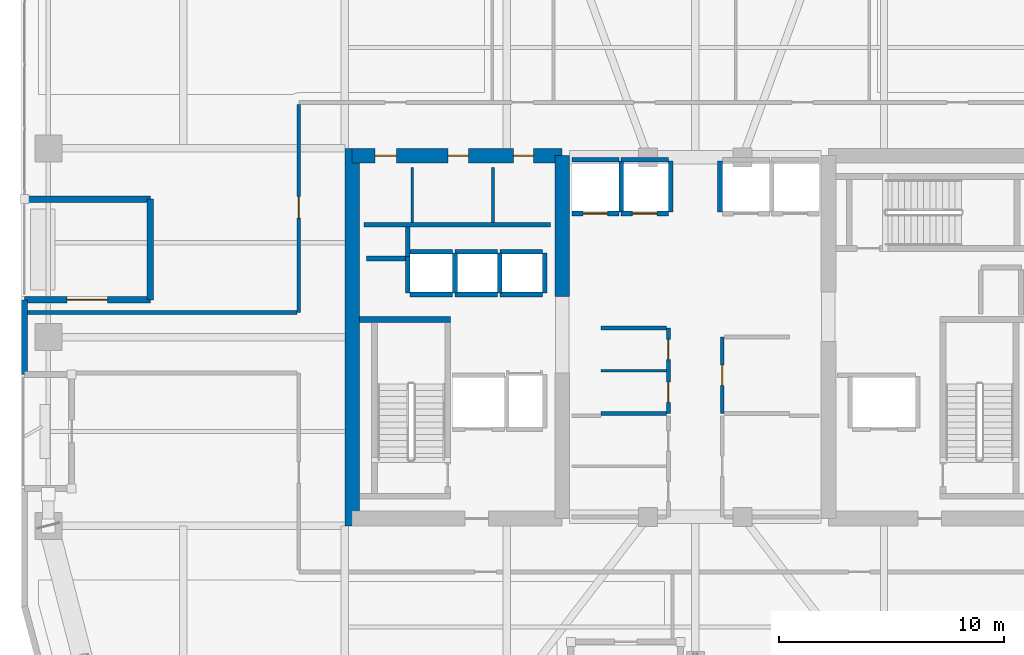
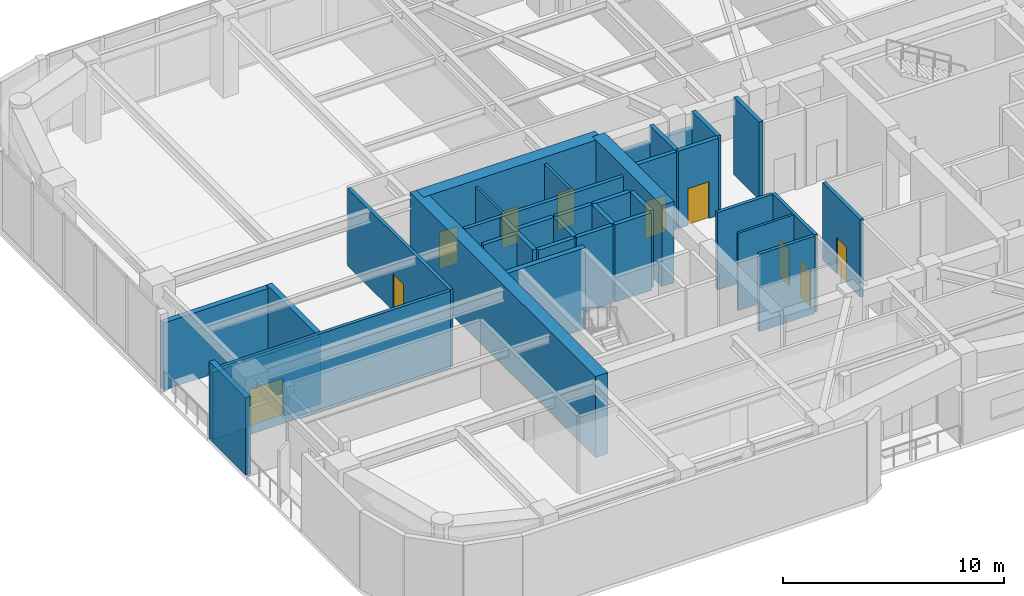
# One storey, part 16 of 21: 37 walls, 10 doors, 10 openings.
"""IFC4 building model written with IfcOpenShell, lengths in metres."""

from ifc_helpers import new_model, si_unit, direction, frame, frame_2d, origin, place, context, subcontext, project, spatial, rectangle, extrude, material, layer, layer_set, type_object, element, fill, save


model = new_model("IFC4")

# Units and contexts
model_context = context("Model", 3, precision=1e-05, world=origin(), true_north=direction((0.0, 1.0)))
body_context = subcontext(model_context, "Body", "Model", "MODEL_VIEW")
ifc_project = project(units=[si_unit("LENGTHUNIT", "METRE"), si_unit("AREAUNIT", "SQUARE_METRE"), si_unit("VOLUMEUNIT", "CUBIC_METRE"), si_unit("PLANEANGLEUNIT", "RADIAN"), si_unit("MASSUNIT", "GRAM", prefix="KILO")], contexts=[model_context])

# Site, building, storey
site_placement = place(None, origin())
site = spatial("IfcSite", under=ifc_project, at=site_placement, CompositionType="ELEMENT")
building_placement = place(site_placement, origin())
building = spatial("IfcBuilding", under=site, at=building_placement, Name="Kiyonajd Concourse Tower", CompositionType="ELEMENT")
storey_placement = place(building_placement, frame((0.0, 0.0, 181.800048828125)))
storey = spatial("IfcBuildingStorey", under=building, at=storey_placement, Name="L46", CompositionType="ELEMENT", Elevation=181.800048828125)

# Walls
ifc_material_1 = material(Name="Concrete C60/75", Category="concrete")
ifc_layer_1 = layer(ifc_material_1, 0.64990234375)
ifc_layer_set_1 = layer_set([ifc_layer_1], Name="Concrete C60/75")
wall_type_1 = type_object("IfcWallType", Name="WL-CORE-650", PredefinedType="SHEAR", material=ifc_layer_set_1)
wall_1_placement = place(storey_placement, frame((32.72509765625, 27.60009765625, 0.0), z_axis=(0.0, 0.0, 1.0), x_axis=(0.0, 1.0, 0.0)))
element("IfcWall", 1, at=wall_1_placement, inside=storey, type_object=wall_type_1, Name="L46 West Core Outer Shear Wall", PredefinedType="SHEAR", context=body_context, shape_type="SweptSolid", body=[
    extrude(rectangle(XDim=16.7998046875, YDim=0.64990234375, at=frame_2d((8.39990234375, 0.0))), origin(), (0.0, 0.0, 1.0), 4.5),
])
wall_2_placement = place(storey_placement, frame((42.074951171875, 37.800048828125, 0.0), z_axis=(0.0, 0.0, 1.0), x_axis=(0.0, 1.0, 0.0)))
element("IfcWall", 2, at=wall_2_placement, inside=storey, type_object=wall_type_1, Name="L46 West Core Inner North Shear Wall", PredefinedType="SHEAR", context=body_context, shape_type="SweptSolid", body=[
    extrude(rectangle(XDim=6.27490234375, YDim=0.64990234375, at=frame_2d((3.137451171875, 0.0))), origin(), (0.0, 0.0, 1.0), 4.5),
])

# Wall, openings, doors
wall_3_placement = place(storey_placement, frame((32.72509765625, 44.074951171875, 0.0), z_axis=(0.0, 0.0, 1.0), x_axis=(1.0, 0.0, 0.0)))
wall_3 = element("IfcWall", 3, at=wall_3_placement, inside=storey, type_object=wall_type_1, Name="L46 West Core North Shear Wall", PredefinedType="SHEAR", context=body_context, shape_type="SweptSolid", body=[
    extrude(rectangle(XDim=9.349853515625, YDim=0.64990234375, at=frame_2d((4.6748046875, 0.0))), origin(), (0.0, 0.0, 1.0), 4.5),
])
opening_1_placement = place(wall_3_placement, frame((1.02490234375, 0.0, 0.0)))
opening_1 = element("IfcOpeningElement", 4, at=opening_1_placement, cuts=wall_3, Name="Opening DI1", PredefinedType="OPENING", context=body_context, shape_type="SweptSolid", body=[
    extrude(rectangle(XDim=0.949951171875, YDim=2.0400390625, at=frame_2d((0.47509765625, 1.02001953125))), frame((0.0, 0.3349609375, 0.0), z_axis=(0.0, -1.0, 0.0), x_axis=(1.0, 0.0, 0.0)), (0.0, 0.0, 1.0), 0.669921875),
])
opening_2_placement = place(wall_3_placement, frame((4.27490234375, 0.0, 0.0)))
opening_2 = element("IfcOpeningElement", 5, at=opening_2_placement, cuts=wall_3, Name="Opening DI2", PredefinedType="OPENING", context=body_context, shape_type="SweptSolid", body=[
    extrude(rectangle(XDim=0.89990234375, YDim=2.02001953125, at=frame_2d((0.449951171875, 1.010009765625))), frame((0.0, 0.3349609375, 0.0), z_axis=(0.0, -1.0, 0.0), x_axis=(1.0, 0.0, 0.0)), (0.0, 0.0, 1.0), 0.669921875),
])
opening_3_placement = place(wall_3_placement, frame((7.175048828125, 0.0, 0.0)))
opening_3 = element("IfcOpeningElement", 6, at=opening_3_placement, cuts=wall_3, Name="Opening DI2", PredefinedType="OPENING", context=body_context, shape_type="SweptSolid", body=[
    extrude(rectangle(XDim=0.89990234375, YDim=2.02001953125, at=frame_2d((0.449951171875, 1.010009765625))), frame((0.0, 0.3349609375, 0.0), z_axis=(0.0, -1.0, 0.0), x_axis=(1.0, 0.0, 0.0)), (0.0, 0.0, 1.0), 0.669921875),
])
ifc_material_2 = material(Name="Natural Oak Acoustic Timber Veneer", Category="wood")
door_type_1 = type_object("IfcDoorType", Name="DR-INT-900", OperationType="NOTDEFINED", PredefinedType="DOOR", material=ifc_material_2)
door_1_placement = place(opening_2_placement, origin())
door_1 = element("IfcDoor", 7, at=door_1_placement, inside=storey, type_object=door_type_1, Name="L46 Male Restroom Door", OperationType="SINGLE_SWING_RIGHT", OverallHeight=2.02001953125, OverallWidth=0.89990234375, PredefinedType="DOOR", context=body_context, shape_type="SweptSolid", body=[
    extrude(rectangle(XDim=0.89990234375, YDim=2.02001953125, at=frame_2d((0.449951171875, 1.010009765625))), frame((0.0, 0.02490234375, 0.0), z_axis=(0.0, -1.0, 0.0), x_axis=(1.0, 0.0, 0.0)), (0.0, 0.0, 1.0), 0.050048828125),
])
fill(opening_2, door_1)
door_2_placement = place(opening_3_placement, origin())
door_2 = element("IfcDoor", 8, at=door_2_placement, inside=storey, type_object=door_type_1, Name="L46 Female Restroom Door", OperationType="SINGLE_SWING_LEFT", OverallHeight=2.02001953125, OverallWidth=0.89990234375, PredefinedType="DOOR", context=body_context, shape_type="SweptSolid", body=[
    extrude(rectangle(XDim=0.89990234375, YDim=2.02001953125, at=frame_2d((0.449951171875, 1.010009765625))), frame((0.0, 0.02490234375, 0.0), z_axis=(0.0, -1.0, 0.0), x_axis=(1.0, 0.0, 0.0)), (0.0, 0.0, 1.0), 0.050048828125),
])
fill(opening_3, door_2)
door_type_2 = type_object("IfcDoorType", Name="DR-INT-950", OperationType="NOTDEFINED", PredefinedType="DOOR", material=ifc_material_2)
door_3_placement = place(opening_1_placement, origin())
door_3 = element("IfcDoor", 9, at=door_3_placement, inside=storey, type_object=door_type_2, Name="L46 Single User Accessible WC Door", OperationType="SINGLE_SWING_LEFT", OverallHeight=2.0400390625, OverallWidth=0.949951171875, PredefinedType="DOOR", context=body_context, shape_type="SweptSolid", body=[
    extrude(rectangle(XDim=0.949951171875, YDim=2.0400390625, at=frame_2d((0.47509765625, 1.02001953125))), frame((0.0, 0.02490234375, 0.0), z_axis=(0.0, -1.0, 0.0), x_axis=(1.0, 0.0, 0.0)), (0.0, 0.0, 1.0), 0.050048828125),
])
fill(opening_1, door_3)

# Wall
ifc_material_3 = material(Name="Precast concrete C50/60", Category="concrete")
ifc_layer_2 = layer(ifc_material_3, 0.280029296875)
ifc_layer_set_2 = layer_set([ifc_layer_2], Name="Precast concrete C50/60")
wall_type_2 = type_object("IfcWallType", Name="WL-EXT-280", PredefinedType="SOLIDWALL", material=ifc_layer_set_2)
wall_4_placement = place(storey_placement, frame((18.139892578125, 34.340087890625, 0.0), z_axis=(0.0, 0.0, 1.0), x_axis=(0.0, 1.0, 0.0)))
element("IfcWall", 10, at=wall_4_placement, inside=storey, type_object=wall_type_2, Name="L46 Exterior Concrete Frame Wall 04", PredefinedType="SOLIDWALL", context=body_context, shape_type="SweptSolid", body=[
    extrude(rectangle(XDim=3.31982421875, YDim=0.280029296875, at=frame_2d((1.659912109375, 0.0))), origin(), (0.0, 0.0, 1.0), 4.280029296875),
])

# Wall, opening, door
wall_5_placement = place(storey_placement, frame((18.139892578125, 37.659912109375, 0.0), z_axis=(0.0, 0.0, 1.0), x_axis=(1.0, 0.0, 0.0)))
wall_5 = element("IfcWall", 11, at=wall_5_placement, inside=storey, type_object=wall_type_2, Name="L46 Sky Garden Threshold Wall", PredefinedType="SOLIDWALL", context=body_context, shape_type="SweptSolid", body=[
    extrude(rectangle(XDim=5.60009765625, YDim=0.280029296875, at=frame_2d((2.800048828125, 0.0))), origin(), (0.0, 0.0, 1.0), 3.716064453125),
])
opening_4_placement = place(wall_5_placement, frame((1.89990234375, 0.0, 0.0)))
opening_4 = element("IfcOpeningElement", 12, at=opening_4_placement, cuts=wall_5, Name="Opening DSK1", PredefinedType="OPENING", context=body_context, shape_type="SweptSolid", body=[
    extrude(rectangle(XDim=1.800048828125, YDim=2.10009765625, at=frame_2d((0.89990234375, 1.050048828125))), frame((0.0, 0.14990234375, 0.0), z_axis=(0.0, -1.0, 0.0), x_axis=(1.0, 0.0, 0.0)), (0.0, 0.0, 1.0), 0.300048828125),
])
ifc_material_4 = material(Name="Thermally Broken Anodised Aluminium", Category="aluminium")
door_type_3 = type_object("IfcDoorType", Name="DR-SKY-1800", OperationType="DOUBLE_DOOR_SINGLE_SWING", PredefinedType="DOOR", material=ifc_material_4)
door_4_placement = place(opening_4_placement, origin())
door_4 = element("IfcDoor", 13, at=door_4_placement, inside=storey, type_object=door_type_3, Name="L46 Sky Garden Terrace Double Door", OperationType="DOUBLE_DOOR_SINGLE_SWING", OverallHeight=2.10009765625, OverallWidth=1.800048828125, PredefinedType="DOOR", context=body_context, shape_type="SweptSolid", body=[
    extrude(rectangle(XDim=1.800048828125, YDim=2.10009765625, at=frame_2d((0.89990234375, 1.050048828125))), frame((0.0, 0.02490234375, 0.0), z_axis=(0.0, -1.0, 0.0), x_axis=(1.0, 0.0, 0.0)), (0.0, 0.0, 1.0), 0.050048828125),
])
fill(opening_4, door_4)

# Walls
wall_6_placement = place(storey_placement, frame((23.739990234375, 37.659912109375, 0.0), z_axis=(0.0, 0.0, 1.0), x_axis=(0.0, 1.0, 0.0)))
element("IfcWall", 14, at=wall_6_placement, inside=storey, type_object=wall_type_2, Name="L46 Sky Garden Threshold Wall", PredefinedType="SOLIDWALL", context=body_context, shape_type="SweptSolid", body=[
    extrude(rectangle(XDim=4.47998046875, YDim=0.280029296875, at=frame_2d((2.239990234375, 0.0))), origin(), (0.0, 0.0, 1.0), 3.847900390625),
])
wall_7_placement = place(storey_placement, frame((23.739990234375, 42.139892578125, 0.0), z_axis=(0.0, 0.0, 1.0), x_axis=(-1.0, 0.0, 0.0)))
element("IfcWall", 15, at=wall_7_placement, inside=storey, type_object=wall_type_2, Name="L46 Sky Garden Threshold Wall", PredefinedType="SOLIDWALL", context=body_context, shape_type="SweptSolid", body=[
    extrude(rectangle(XDim=5.60009765625, YDim=0.280029296875, at=frame_2d((2.800048828125, 0.0))), origin(), (0.0, 0.0, 1.0), 3.716064453125),
])
ifc_material_5 = material(Name="Gypsum Board on Cold-Formed Steel Stud", Category="steel")
ifc_layer_3 = layer(ifc_material_5, 0.125)
ifc_layer_set_3 = layer_set([ifc_layer_3], Name="Gypsum Board on Cold-Formed Steel Stud")
wall_type_3 = type_object("IfcWallType", Name="WL-PART-125", PredefinedType="PARTITIONING", material=ifc_layer_set_3)
for number, where, z_axis, x_axis, name in (
    (16, (35.39990234375, 41.094970703125, 0.0), (0.0, 0.0, 1.0), (0.0, 1.0, 0.0), "L46 Interior Partition Wall"),
    (17, (39.0, 41.094970703125, 0.0), (0.0, 0.0, 1.0), (0.0, 1.0, 0.0), "L46 Interior Partition Wall"),
):
    element("IfcWall", number, at=place(storey_placement, frame(where, z_axis=z_axis, x_axis=x_axis)), inside=storey, type_object=wall_type_3, Name=name, PredefinedType="PARTITIONING", context=body_context, shape_type="SweptSolid", body=[
        extrude(rectangle(XDim=2.455078125, YDim=0.125, at=frame_2d((1.2275390625, 0.0))), origin(), (0.0, 0.0, 1.0), 4.280029296875),
    ])
wall_8_placement = place(storey_placement, frame((43.800048828125, 34.5, 0.0), z_axis=(0.0, 0.0, 1.0), x_axis=(1.0, 0.0, 0.0)))
element("IfcWall", 18, at=wall_8_placement, inside=storey, type_object=wall_type_3, Name="L46 Interior Partition Wall", PredefinedType="PARTITIONING", context=body_context, shape_type="SweptSolid", body=[
    extrude(rectangle(XDim=2.912841796875, YDim=0.125, at=frame_2d((1.45654296875, 0.0))), origin(), (0.0, 0.0, 1.0), 4.280029296875),
])
ifc_layer_4 = layer(ifc_material_5, 0.18994140625)
ifc_layer_set_4 = layer_set([ifc_layer_4], Name="Gypsum Board on Cold-Formed Steel Stud")
wall_type_4 = type_object("IfcWallType", Name="WL-PLMB-190", PredefinedType="PLUMBINGWALL", material=ifc_layer_set_4)
wall_9_placement = place(storey_placement, frame((33.25, 41.0, 0.0), z_axis=(0.0, 0.0, 1.0), x_axis=(1.0, 0.0, 0.0)))
element("IfcWall", 19, at=wall_9_placement, inside=storey, type_object=wall_type_4, Name="L46 Interior Partition Wall", PredefinedType="PLUMBINGWALL", context=body_context, shape_type="SweptSolid", body=[
    extrude(rectangle(XDim=8.300048828125, YDim=0.18994140625, at=frame_2d((4.14990234375, 0.0))), origin(), (0.0, 0.0, 1.0), 4.280029296875),
])
ifc_layer_5 = layer(ifc_material_5, 0.2099609375)
ifc_layer_set_5 = layer_set([ifc_layer_5], Name="Gypsum Board on Cold-Formed Steel Stud")
wall_type_5 = type_object("IfcWallType", Name="WL-SHAFT-210", PredefinedType="PARTITIONING", material=ifc_layer_set_5)
wall_10_placement = place(storey_placement, frame((33.360107421875, 39.5, 0.0), z_axis=(0.0, 0.0, 1.0), x_axis=(1.0, 0.0, 0.0)))
element("IfcWall", 20, at=wall_10_placement, inside=storey, type_object=wall_type_5, Name="L46 Shaft Enclosure Wall", PredefinedType="PARTITIONING", context=body_context, shape_type="SweptSolid", body=[
    extrude(rectangle(XDim=1.85986328125, YDim=0.2099609375, at=frame_2d((0.929931640625, 0.0))), origin(), (0.0, 0.0, 1.0), 4.280029296875),
])
wall_11_placement = place(storey_placement, frame((35.199951171875, 39.580078125, 0.0), z_axis=(0.0, 0.0, 1.0), x_axis=(0.0, 1.0, 0.0)))
element("IfcWall", 21, at=wall_11_placement, inside=storey, type_object=wall_type_5, Name="L46 Shaft Enclosure Wall", PredefinedType="PARTITIONING", context=body_context, shape_type="SweptSolid", body=[
    extrude(rectangle(XDim=1.31982421875, YDim=0.2099609375, at=frame_2d((0.659912109375, 0.0))), origin(), (0.0, 0.0, 1.0), 4.280029296875),
])

# Wall, opening, door
wall_12_placement = place(storey_placement, frame((42.5, 41.5, 0.0), z_axis=(0.0, 0.0, 1.0), x_axis=(1.0, 0.0, 0.0)))
wall_12 = element("IfcWall", 22, at=wall_12_placement, inside=storey, type_object=wall_type_5, Name="L46 Shaft Enclosure Wall", PredefinedType="PARTITIONING", context=body_context, shape_type="SweptSolid", body=[
    extrude(rectangle(XDim=2.10009765625, YDim=0.2099609375, at=frame_2d((1.050048828125, 0.0))), origin(), (0.0, 0.0, 1.0), 4.280029296875),
])
opening_5_placement = place(wall_12_placement, frame((0.5, 0.0, 0.0)))
opening_5 = element("IfcOpeningElement", 23, at=opening_5_placement, cuts=wall_12, Name="Opening LD1", PredefinedType="OPENING", context=body_context, shape_type="SweptSolid", body=[
    extrude(rectangle(XDim=1.10009765625, YDim=2.0400390625, at=frame_2d((0.550048828125, 1.02001953125))), frame((0.0, 0.114990234375, 0.0), z_axis=(0.0, -1.0, 0.0), x_axis=(1.0, 0.0, 0.0)), (0.0, 0.0, 1.0), 0.22998046875),
])
ifc_material_6 = material(Name="Brushed Stainless Steel Cab Assembly", Category="steel")
door_type_4 = type_object("IfcDoorType", Name="DR-LD-1100", OperationType="DOUBLE_DOOR_SLIDING", PredefinedType="DOOR", material=ifc_material_6)
door_5_placement = place(opening_5_placement, origin())
door_5 = element("IfcDoor", 24, at=door_5_placement, inside=storey, type_object=door_type_4, Name="L46 Lift PL-M1 Sliding Landing Door", OperationType="DOUBLE_DOOR_SLIDING", OverallHeight=2.0400390625, OverallWidth=1.10009765625, PredefinedType="DOOR", context=body_context, shape_type="SweptSolid", body=[
    extrude(rectangle(XDim=1.10009765625, YDim=2.0400390625, at=frame_2d((0.550048828125, 1.02001953125))), frame((0.0, 0.02490234375, 0.0), z_axis=(0.0, -1.0, 0.0), x_axis=(1.0, 0.0, 0.0)), (0.0, 0.0, 1.0), 0.050048828125),
])
fill(opening_5, door_5)

# Walls
wall_13_placement = place(storey_placement, frame((42.5, 43.89990234375, 0.0), z_axis=(0.0, 0.0, 1.0), x_axis=(1.0, 0.0, 0.0)))
element("IfcWall", 25, at=wall_13_placement, inside=storey, type_object=wall_type_5, Name="L46 Shaft Enclosure Wall", PredefinedType="PARTITIONING", context=body_context, shape_type="SweptSolid", body=[
    extrude(rectangle(XDim=2.10009765625, YDim=0.2099609375, at=frame_2d((1.050048828125, 0.0))), origin(), (0.0, 0.0, 1.0), 3.364990234375),
])
wall_14_placement = place(storey_placement, frame((44.699951171875, 41.56005859375, 0.0), z_axis=(0.0, 0.0, 1.0), x_axis=(0.0, 1.0, 0.0)))
element("IfcWall", 26, at=wall_14_placement, inside=storey, type_object=wall_type_5, Name="L46 Shaft Enclosure Wall", PredefinedType="PARTITIONING", context=body_context, shape_type="SweptSolid", body=[
    extrude(rectangle(XDim=2.280029296875, YDim=0.2099609375, at=frame_2d((1.14013671875, 0.0))), origin(), (0.0, 0.0, 1.0), 4.280029296875),
])

# Wall, opening, door
wall_15_placement = place(storey_placement, frame((44.699951171875, 41.5, 0.0), z_axis=(0.0, 0.0, 1.0), x_axis=(1.0, 0.0, 0.0)))
wall_15 = element("IfcWall", 27, at=wall_15_placement, inside=storey, type_object=wall_type_5, Name="L46 Shaft Enclosure Wall", PredefinedType="PARTITIONING", context=body_context, shape_type="SweptSolid", body=[
    extrude(rectangle(XDim=2.10009765625, YDim=0.2099609375, at=frame_2d((1.050048828125, 0.0))), origin(), (0.0, 0.0, 1.0), 4.280029296875),
])
opening_6_placement = place(wall_15_placement, frame((0.5, 0.0, 0.0)))
opening_6 = element("IfcOpeningElement", 28, at=opening_6_placement, cuts=wall_15, Name="Opening LD1", PredefinedType="OPENING", context=body_context, shape_type="SweptSolid", body=[
    extrude(rectangle(XDim=1.10009765625, YDim=2.0400390625, at=frame_2d((0.550048828125, 1.02001953125))), frame((0.0, 0.114990234375, 0.0), z_axis=(0.0, -1.0, 0.0), x_axis=(1.0, 0.0, 0.0)), (0.0, 0.0, 1.0), 0.22998046875),
])
door_6_placement = place(opening_6_placement, origin())
door_6 = element("IfcDoor", 29, at=door_6_placement, inside=storey, type_object=door_type_4, Name="L46 Lift PL-M2 Sliding Landing Door", OperationType="DOUBLE_DOOR_SLIDING", OverallHeight=2.0400390625, OverallWidth=1.10009765625, PredefinedType="DOOR", context=body_context, shape_type="SweptSolid", body=[
    extrude(rectangle(XDim=1.10009765625, YDim=2.0400390625, at=frame_2d((0.550048828125, 1.02001953125))), frame((0.0, 0.02490234375, 0.0), z_axis=(0.0, -1.0, 0.0), x_axis=(1.0, 0.0, 0.0)), (0.0, 0.0, 1.0), 0.050048828125),
])
fill(opening_6, door_6)

# Walls
wall_16_placement = place(storey_placement, frame((44.699951171875, 43.89990234375, 0.0), z_axis=(0.0, 0.0, 1.0), x_axis=(1.0, 0.0, 0.0)))
element("IfcWall", 30, at=wall_16_placement, inside=storey, type_object=wall_type_5, Name="L46 Shaft Enclosure Wall", PredefinedType="PARTITIONING", context=body_context, shape_type="SweptSolid", body=[
    extrude(rectangle(XDim=2.10009765625, YDim=0.2099609375, at=frame_2d((1.050048828125, 0.0))), origin(), (0.0, 0.0, 1.0), 3.364990234375),
])
for number, where, z_axis, x_axis, name in (
    (31, (46.89990234375, 41.56005859375, 0.0), (0.0, 0.0, 1.0), (0.0, 1.0, 0.0), "L46 Shaft Enclosure Wall"),
    (32, (49.10009765625, 41.56005859375, 0.0), (0.0, 0.0, 1.0), (0.0, 1.0, 0.0), "L46 Shaft Enclosure Wall"),
):
    element("IfcWall", number, at=place(storey_placement, frame(where, z_axis=z_axis, x_axis=x_axis)), inside=storey, type_object=wall_type_5, Name=name, PredefinedType="PARTITIONING", context=body_context, shape_type="SweptSolid", body=[
        extrude(rectangle(XDim=2.280029296875, YDim=0.2099609375, at=frame_2d((1.14013671875, 0.0))), origin(), (0.0, 0.0, 1.0), 4.280029296875),
    ])
for number, where, z_axis, x_axis, name in (
    (33, (35.300048828125, 37.89990234375, 0.0), (0.0, 0.0, 1.0), (1.0, 0.0, 0.0), "L46 Shaft Enclosure Wall"),
    (34, (35.300048828125, 39.800048828125, 0.0), (0.0, 0.0, 1.0), (1.0, 0.0, 0.0), "L46 Shaft Enclosure Wall"),
):
    element("IfcWall", number, at=place(storey_placement, frame(where, z_axis=z_axis, x_axis=x_axis)), inside=storey, type_object=wall_type_5, Name=name, PredefinedType="PARTITIONING", context=body_context, shape_type="SweptSolid", body=[
        extrude(rectangle(XDim=1.89990234375, YDim=0.2099609375, at=frame_2d((0.949951171875, 0.0))), origin(), (0.0, 0.0, 1.0), 4.280029296875),
    ])
wall_17_placement = place(storey_placement, frame((35.199951171875, 37.9599609375, 0.0), z_axis=(0.0, 0.0, 1.0), x_axis=(0.0, 1.0, 0.0)))
element("IfcWall", 35, at=wall_17_placement, inside=storey, type_object=wall_type_5, Name="L46 Shaft Enclosure Wall", PredefinedType="PARTITIONING", context=body_context, shape_type="SweptSolid", body=[
    extrude(rectangle(XDim=1.6201171875, YDim=0.2099609375, at=frame_2d((0.81005859375, 0.0))), origin(), (0.0, 0.0, 1.0), 4.280029296875),
])
wall_18_placement = place(storey_placement, frame((37.300048828125, 37.9599609375, 0.0), z_axis=(0.0, 0.0, 1.0), x_axis=(0.0, 1.0, 0.0)))
element("IfcWall", 36, at=wall_18_placement, inside=storey, type_object=wall_type_5, Name="L46 Shaft Enclosure Wall", PredefinedType="PARTITIONING", context=body_context, shape_type="SweptSolid", body=[
    extrude(rectangle(XDim=1.780029296875, YDim=0.2099609375, at=frame_2d((0.89013671875, 0.0))), origin(), (0.0, 0.0, 1.0), 4.280029296875),
])
for number, where, z_axis, x_axis, name in (
    (37, (37.300048828125, 37.89990234375, 0.0), (0.0, 0.0, 1.0), (1.0, 0.0, 0.0), "L46 Shaft Enclosure Wall"),
    (38, (37.300048828125, 39.800048828125, 0.0), (0.0, 0.0, 1.0), (1.0, 0.0, 0.0), "L46 Shaft Enclosure Wall"),
):
    element("IfcWall", number, at=place(storey_placement, frame(where, z_axis=z_axis, x_axis=x_axis)), inside=storey, type_object=wall_type_5, Name=name, PredefinedType="PARTITIONING", context=body_context, shape_type="SweptSolid", body=[
        extrude(rectangle(XDim=1.89990234375, YDim=0.2099609375, at=frame_2d((0.949951171875, 0.0))), origin(), (0.0, 0.0, 1.0), 4.280029296875),
    ])
wall_19_placement = place(storey_placement, frame((39.300048828125, 37.9599609375, 0.0), z_axis=(0.0, 0.0, 1.0), x_axis=(0.0, 1.0, 0.0)))
element("IfcWall", 39, at=wall_19_placement, inside=storey, type_object=wall_type_5, Name="L46 Shaft Enclosure Wall", PredefinedType="PARTITIONING", context=body_context, shape_type="SweptSolid", body=[
    extrude(rectangle(XDim=1.780029296875, YDim=0.2099609375, at=frame_2d((0.89013671875, 0.0))), origin(), (0.0, 0.0, 1.0), 4.280029296875),
])
for number, where, z_axis, x_axis, name in (
    (40, (39.300048828125, 37.89990234375, 0.0), (0.0, 0.0, 1.0), (1.0, 0.0, 0.0), "L46 Shaft Enclosure Wall"),
    (41, (39.300048828125, 39.800048828125, 0.0), (0.0, 0.0, 1.0), (1.0, 0.0, 0.0), "L46 Shaft Enclosure Wall"),
):
    element("IfcWall", number, at=place(storey_placement, frame(where, z_axis=z_axis, x_axis=x_axis)), inside=storey, type_object=wall_type_5, Name=name, PredefinedType="PARTITIONING", context=body_context, shape_type="SweptSolid", body=[
        extrude(rectangle(XDim=1.89990234375, YDim=0.2099609375, at=frame_2d((0.949951171875, 0.0))), origin(), (0.0, 0.0, 1.0), 4.280029296875),
    ])
wall_20_placement = place(storey_placement, frame((41.300048828125, 37.9599609375, 0.0), z_axis=(0.0, 0.0, 1.0), x_axis=(0.0, 1.0, 0.0)))
element("IfcWall", 42, at=wall_20_placement, inside=storey, type_object=wall_type_5, Name="L46 Shaft Enclosure Wall", PredefinedType="PARTITIONING", context=body_context, shape_type="SweptSolid", body=[
    extrude(rectangle(XDim=1.780029296875, YDim=0.2099609375, at=frame_2d((0.89013671875, 0.0))), origin(), (0.0, 0.0, 1.0), 4.280029296875),
])

# Wall, openings, doors
ifc_layer_6 = layer(ifc_material_5, 0.169921875)
ifc_layer_set_6 = layer_set([ifc_layer_6], Name="Gypsum Board on Cold-Formed Steel Stud")
wall_type_6 = type_object("IfcWallType", Name="WL-SMK-170", PredefinedType="PARTITIONING", material=ifc_layer_set_6)
wall_21_placement = place(storey_placement, frame((46.800048828125, 32.60009765625, 0.0), z_axis=(0.0, 0.0, 1.0), x_axis=(0.0, 1.0, 0.0)))
wall_21 = element("IfcWall", 43, at=wall_21_placement, inside=storey, type_object=wall_type_6, Name="L46 Interior Partition Wall", PredefinedType="PARTITIONING", context=body_context, shape_type="SweptSolid", body=[
    extrude(rectangle(XDim=3.7998046875, YDim=0.169921875, at=frame_2d((1.89990234375, 0.0))), origin(), (0.0, 0.0, 1.0), 4.280029296875),
])
opening_7_placement = place(wall_21_placement, frame((0.5, 0.0, 0.0)))
opening_7 = element("IfcOpeningElement", 44, at=opening_7_placement, cuts=wall_21, Name="Opening DI2", PredefinedType="OPENING", context=body_context, shape_type="SweptSolid", body=[
    extrude(rectangle(XDim=0.89990234375, YDim=2.02001953125, at=frame_2d((0.449951171875, 1.010009765625))), frame((0.0, 0.094970703125, 0.0), z_axis=(0.0, -1.0, 0.0), x_axis=(1.0, 0.0, 0.0)), (0.0, 0.0, 1.0), 0.18994140625),
])
opening_8_placement = place(wall_21_placement, frame((2.39990234375, 0.0, 0.0)))
opening_8 = element("IfcOpeningElement", 45, at=opening_8_placement, cuts=wall_21, Name="Opening DI2", PredefinedType="OPENING", context=body_context, shape_type="SweptSolid", body=[
    extrude(rectangle(XDim=0.89990234375, YDim=2.02001953125, at=frame_2d((0.449951171875, 1.010009765625))), frame((0.0, 0.094970703125, 0.0), z_axis=(0.0, -1.0, 0.0), x_axis=(1.0, 0.0, 0.0)), (0.0, 0.0, 1.0), 0.18994140625),
])
door_7_placement = place(opening_7_placement, origin())
door_7 = element("IfcDoor", 46, at=door_7_placement, inside=storey, type_object=door_type_1, Name="L46 Interior Door", OperationType="SINGLE_SWING_RIGHT", OverallHeight=2.02001953125, OverallWidth=0.89990234375, PredefinedType="DOOR", context=body_context, shape_type="SweptSolid", body=[
    extrude(rectangle(XDim=0.89990234375, YDim=2.02001953125, at=frame_2d((0.449951171875, 1.010009765625))), frame((0.0, 0.02490234375, 0.0), z_axis=(0.0, -1.0, 0.0), x_axis=(1.0, 0.0, 0.0)), (0.0, 0.0, 1.0), 0.050048828125),
])
fill(opening_7, door_7)
door_8_placement = place(opening_8_placement, origin())
door_8 = element("IfcDoor", 47, at=door_8_placement, inside=storey, type_object=door_type_1, Name="L46 Interior Door", OperationType="SINGLE_SWING_LEFT", OverallHeight=2.02001953125, OverallWidth=0.89990234375, PredefinedType="DOOR", context=body_context, shape_type="SweptSolid", body=[
    extrude(rectangle(XDim=0.89990234375, YDim=2.02001953125, at=frame_2d((0.449951171875, 1.010009765625))), frame((0.0, 0.02490234375, 0.0), z_axis=(0.0, -1.0, 0.0), x_axis=(1.0, 0.0, 0.0)), (0.0, 0.0, 1.0), 0.050048828125),
])
fill(opening_8, door_8)

# Walls
for number, where, z_axis, x_axis, name in (
    (48, (43.800048828125, 32.60009765625, 0.0), (0.0, 0.0, 1.0), (1.0, 0.0, 0.0), "L46 Interior Partition Wall"),
    (49, (43.800048828125, 36.39990234375, 0.0), (0.0, 0.0, 1.0), (1.0, 0.0, 0.0), "L46 Interior Partition Wall"),
):
    element("IfcWall", number, at=place(storey_placement, frame(where, z_axis=z_axis, x_axis=x_axis)), inside=storey, type_object=wall_type_6, Name=name, PredefinedType="PARTITIONING", context=body_context, shape_type="SweptSolid", body=[
        extrude(rectangle(XDim=2.912841796875, YDim=0.169921875, at=frame_2d((1.45654296875, 0.0))), origin(), (0.0, 0.0, 1.0), 4.280029296875),
    ])

# Wall, opening, door
wall_22_placement = place(storey_placement, frame((49.199951171875, 32.60009765625, 0.0), z_axis=(0.0, 0.0, 1.0), x_axis=(0.0, 1.0, 0.0)))
wall_22 = element("IfcWall", 50, at=wall_22_placement, inside=storey, type_object=wall_type_6, Name="L46 Interior Partition Wall", PredefinedType="PARTITIONING", context=body_context, shape_type="SweptSolid", body=[
    extrude(rectangle(XDim=3.39990234375, YDim=0.169921875, at=frame_2d((1.699951171875, 0.0))), origin(), (0.0, 0.0, 1.0), 4.280029296875),
])
opening_9_placement = place(wall_22_placement, frame((1.25, 0.0, 0.0)))
opening_9 = element("IfcOpeningElement", 51, at=opening_9_placement, cuts=wall_22, Name="Opening DI2", PredefinedType="OPENING", context=body_context, shape_type="SweptSolid", body=[
    extrude(rectangle(XDim=0.89990234375, YDim=2.02001953125, at=frame_2d((0.449951171875, 1.010009765625))), frame((0.0, 0.094970703125, 0.0), z_axis=(0.0, -1.0, 0.0), x_axis=(1.0, 0.0, 0.0)), (0.0, 0.0, 1.0), 0.18994140625),
])
door_9_placement = place(opening_9_placement, origin())
door_9 = element("IfcDoor", 52, at=door_9_placement, inside=storey, type_object=door_type_1, Name="L46 Interior Door", OperationType="SINGLE_SWING_RIGHT", OverallHeight=2.02001953125, OverallWidth=0.89990234375, PredefinedType="DOOR", context=body_context, shape_type="SweptSolid", body=[
    extrude(rectangle(XDim=0.89990234375, YDim=2.02001953125, at=frame_2d((0.449951171875, 1.010009765625))), frame((0.0, 0.02490234375, 0.0), z_axis=(0.0, -1.0, 0.0), x_axis=(1.0, 0.0, 0.0)), (0.0, 0.0, 1.0), 0.050048828125),
])
fill(opening_9, door_9)

wall_23_placement = place(storey_placement, frame((30.35009765625, 37.10009765625, 0.0), z_axis=(0.0, 0.0, 1.0), x_axis=(0.0, 1.0, 0.0)))
wall_23 = element("IfcWall", 53, at=wall_23_placement, inside=storey, type_object=wall_type_6, Name="L46 Interior Partition Wall", PredefinedType="PARTITIONING", context=body_context, shape_type="SweptSolid", body=[
    extrude(rectangle(XDim=9.262939453125, YDim=0.169921875, at=frame_2d((4.63134765625, 0.0))), origin(), (0.0, 0.0, 1.0), 4.280029296875),
])
opening_10_placement = place(wall_23_placement, frame((4.199951171875, 0.0, 0.0)))
opening_10 = element("IfcOpeningElement", 54, at=opening_10_placement, cuts=wall_23, Name="Opening DI1", PredefinedType="OPENING", context=body_context, shape_type="SweptSolid", body=[
    extrude(rectangle(XDim=0.949951171875, YDim=2.0400390625, at=frame_2d((0.47509765625, 1.02001953125))), frame((0.0, 0.094970703125, 0.0), z_axis=(0.0, -1.0, 0.0), x_axis=(1.0, 0.0, 0.0)), (0.0, 0.0, 1.0), 0.18994140625),
])
door_10_placement = place(opening_10_placement, origin())
door_10 = element("IfcDoor", 55, at=door_10_placement, inside=storey, type_object=door_type_2, Name="L46 Interior Door", OperationType="SINGLE_SWING_RIGHT", OverallHeight=2.0400390625, OverallWidth=0.949951171875, PredefinedType="DOOR", context=body_context, shape_type="SweptSolid", body=[
    extrude(rectangle(XDim=0.949951171875, YDim=2.0400390625, at=frame_2d((0.47509765625, 1.02001953125))), frame((0.0, 0.02490234375, 0.0), z_axis=(0.0, -1.0, 0.0), x_axis=(1.0, 0.0, 0.0)), (0.0, 0.0, 1.0), 0.050048828125),
])
fill(opening_10, door_10)

# Walls
wall_24_placement = place(storey_placement, frame((18.27490234375, 37.10009765625, 0.0), z_axis=(0.0, 0.0, 1.0), x_axis=(1.0, 0.0, 0.0)))
element("IfcWall", 56, at=wall_24_placement, inside=storey, type_object=wall_type_6, Name="L46 Interior Partition Wall", PredefinedType="PARTITIONING", context=body_context, shape_type="SweptSolid", body=[
    extrude(rectangle(XDim=11.988037109375, YDim=0.169921875, at=frame_2d((5.994140625, 0.0))), origin(), (0.0, 0.0, 1.0), 4.280029296875),
])
ifc_material_7 = material(Name="Concrete C50/60", Category="concrete")
ifc_layer_7 = layer(ifc_material_7, 0.260009765625)
ifc_layer_set_7 = layer_set([ifc_layer_7], Name="Concrete C50/60")
wall_type_7 = type_object("IfcWallType", Name="WL-STAIR-260", PredefinedType="SHEAR", material=ifc_layer_set_7)
wall_25_placement = place(storey_placement, frame((33.050048828125, 36.780029296875, 0.0), z_axis=(0.0, 0.0, 1.0), x_axis=(1.0, 0.0, 0.0)))
element("IfcWall", 57, at=wall_25_placement, inside=storey, type_object=wall_type_7, Name="L46 Stair ST1 Structural North Wall", PredefinedType="SHEAR", context=body_context, shape_type="SweptSolid", body=[
    extrude(rectangle(XDim=4.06005859375, YDim=0.260009765625, at=frame_2d((2.030029296875, 0.0))), origin(), (0.0, 0.0, 1.0), 4.5),
])

save(model, "model.ifc")
